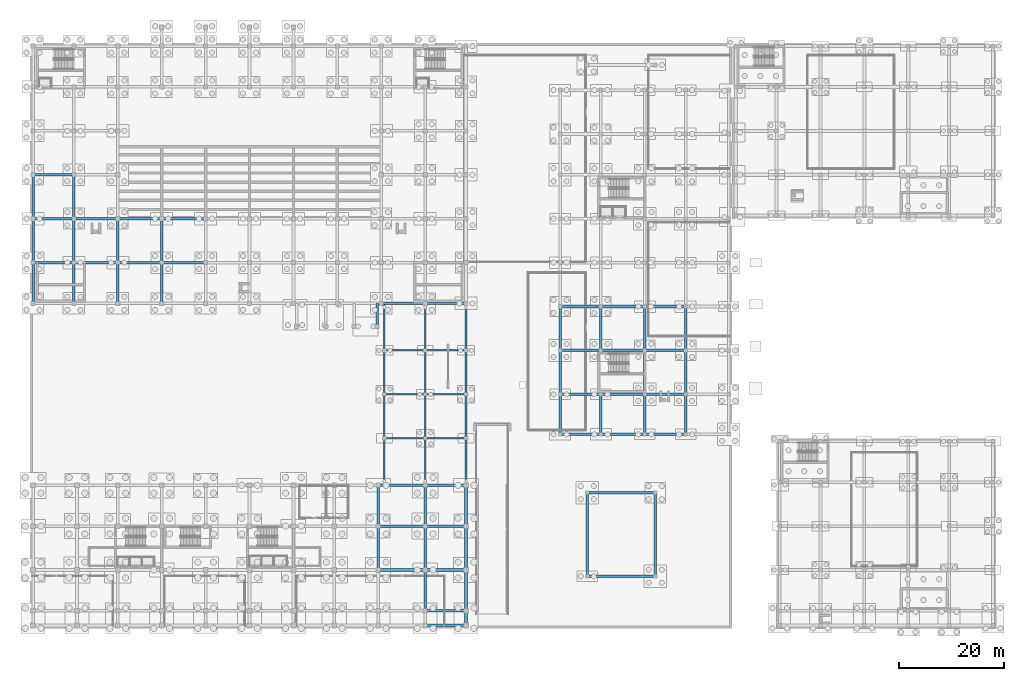
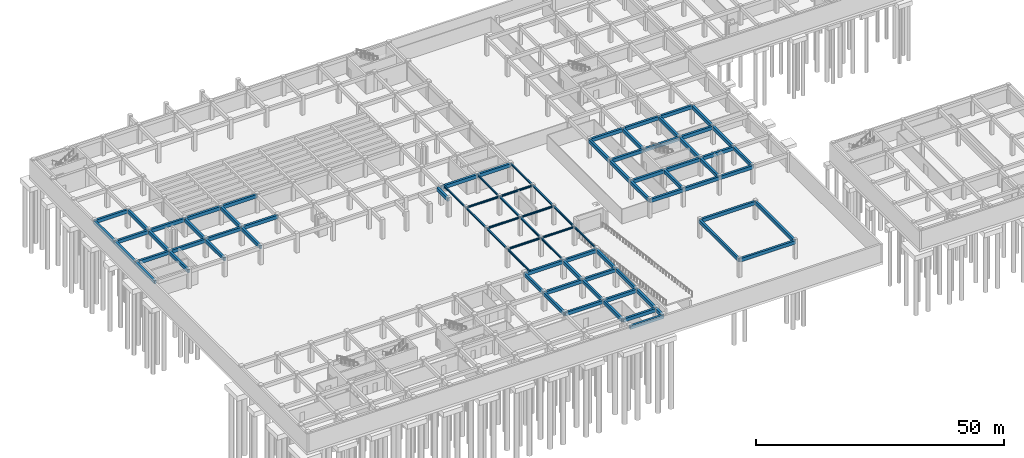
# One storey, part 11 of 35: 84 beams.
"""IFC4 building model written with IfcOpenShell, lengths in metres."""

from ifc_helpers import new_model, si_unit, direction, frame, origin, origin_2d, place, context, subcontext, project, spatial, rectangle, i_section, extrude, material, material_profile, profile_set, type_object, element, save


model = new_model("IFC4")

# Units and contexts
model_context = context("Model", 3, precision=1e-05, world=origin(), true_north=direction((0.0, 1.0)))
body_context = subcontext(model_context, "Body", "Model", "MODEL_VIEW")
ifc_project = project(units=[si_unit("LENGTHUNIT", "METRE"), si_unit("AREAUNIT", "SQUARE_METRE"), si_unit("VOLUMEUNIT", "CUBIC_METRE"), si_unit("PLANEANGLEUNIT", "RADIAN"), si_unit("MASSUNIT", "GRAM", prefix="KILO")], contexts=[model_context])

# Site, building, storey
site_placement = place(None, origin())
site = spatial("IfcSite", under=ifc_project, at=site_placement, CompositionType="ELEMENT")
building_placement = place(site_placement, origin())
building = spatial("IfcBuilding", under=site, at=building_placement, Name="Zayran Congress Hotel", CompositionType="ELEMENT")
storey_placement = place(building_placement, frame((0.0, 0.0, -4.800048828125)))
storey = spatial("IfcBuildingStorey", under=building, at=storey_placement, Name="B1", CompositionType="ELEMENT", Elevation=-4.800048828125)

# Beams
ifc_material_1 = material(Name="Concrete C40/50", Category="concrete")
ifc_material_profile_1 = material_profile(ifc_material_1, rectangle(XDim=0.5, YDim=0.85009765625, at=origin_2d()), Name="RC 500x850")
ifc_profile_set_1 = profile_set([ifc_material_profile_1], Name="Concrete C40/50")
beam_type_1 = type_object("IfcBeamType", Name="TP-BM-01", PredefinedType="BEAM", material=ifc_profile_set_1)
beam_1_placement = place(storey_placement, frame((75.60009765625, 68.199951171875, 4.054931640625), z_axis=(1.0, 0.0, 0.0), x_axis=(0.0, 1.0, 0.0)))
element("IfcBeam", 1, at=beam_1_placement, inside=storey, type_object=beam_type_1, Name="BM-B1-0009", PredefinedType="BEAM", context=body_context, shape_type="SweptSolid", body=[
    extrude(rectangle(XDim=0.5, YDim=0.85009765625, at=origin_2d()), origin(), (0.0, 0.0, 1.0), 8.39990234375),
])
for number, where, z_axis, x_axis, name in (
    (2, (84.0, 68.199951171875, 4.054931640625), (1.0, 0.0, 0.0), (0.0, 1.0, 0.0), "BM-B1-0010"),
    (3, (9.0, 76.0, 4.054931640625), (1.0, 0.0, 0.0), (0.0, 1.0, 0.0), "BM-B1-0011"),
):
    element("IfcBeam", number, at=place(storey_placement, frame(where, z_axis=z_axis, x_axis=x_axis)), inside=storey, type_object=beam_type_1, Name=name, PredefinedType="BEAM", context=body_context, shape_type="SweptSolid", body=[
        extrude(rectangle(XDim=0.5, YDim=0.85009765625, at=origin_2d()), origin(), (0.0, 0.0, 1.0), 7.800048828125),
    ])
beam_2_placement = place(storey_placement, frame((16.800048828125, 76.0, 4.054931640625), z_axis=(1.0, 0.0, 0.0), x_axis=(0.0, 1.0, 0.0)))
element("IfcBeam", 4, at=beam_2_placement, inside=storey, type_object=beam_type_1, Name="BM-B1-0012", PredefinedType="BEAM", context=body_context, shape_type="SweptSolid", body=[
    extrude(rectangle(XDim=0.5, YDim=0.85009765625, at=origin_2d()), origin(), (0.0, 0.0, 1.0), 8.39990234375),
])
beam_3_placement = place(storey_placement, frame((25.199951171875, 76.0, 4.054931640625), z_axis=(1.0, 0.0, 0.0), x_axis=(0.0, 1.0, 0.0)))
element("IfcBeam", 5, at=beam_3_placement, inside=storey, type_object=beam_type_1, Name="BM-B1-0013", PredefinedType="BEAM", context=body_context, shape_type="SweptSolid", body=[
    extrude(rectangle(XDim=0.5, YDim=0.85009765625, at=origin_2d()), origin(), (0.0, 0.0, 1.0), 8.400146484375),
])
beam_4_placement = place(storey_placement, frame((33.60009765625, 76.0, 4.054931640625), z_axis=(1.0, 0.0, 0.0), x_axis=(0.0, 1.0, 0.0)))
element("IfcBeam", 6, at=beam_4_placement, inside=storey, type_object=beam_type_1, Name="BM-B1-0014", PredefinedType="BEAM", context=body_context, shape_type="SweptSolid", body=[
    extrude(rectangle(XDim=0.5, YDim=0.85009765625, at=origin_2d()), origin(), (0.0, 0.0, 1.0), 8.39990234375),
])
beam_5_placement = place(storey_placement, frame((9.0, 84.39990234375, 4.054931640625), z_axis=(1.0, 0.0, 0.0), x_axis=(0.0, 1.0, 0.0)))
element("IfcBeam", 7, at=beam_5_placement, inside=storey, type_object=beam_type_1, Name="BM-B1-0021", PredefinedType="BEAM", context=body_context, shape_type="SweptSolid", body=[
    extrude(rectangle(XDim=0.5, YDim=0.85009765625, at=origin_2d()), origin(), (0.0, 0.0, 1.0), 7.800048828125),
])
beam_6_placement = place(storey_placement, frame((16.800048828125, 84.39990234375, 4.054931640625), z_axis=(1.0, 0.0, 0.0), x_axis=(0.0, 1.0, 0.0)))
element("IfcBeam", 8, at=beam_6_placement, inside=storey, type_object=beam_type_1, Name="BM-B1-0022", PredefinedType="BEAM", context=body_context, shape_type="SweptSolid", body=[
    extrude(rectangle(XDim=0.5, YDim=0.85009765625, at=origin_2d()), origin(), (0.0, 0.0, 1.0), 8.39990234375),
])
beam_7_placement = place(storey_placement, frame((25.199951171875, 84.39990234375, 4.054931640625), z_axis=(1.0, 0.0, 0.0), x_axis=(0.0, 1.0, 0.0)))
element("IfcBeam", 9, at=beam_7_placement, inside=storey, type_object=beam_type_1, Name="BM-B1-0023", PredefinedType="BEAM", context=body_context, shape_type="SweptSolid", body=[
    extrude(rectangle(XDim=0.5, YDim=0.85009765625, at=origin_2d()), origin(), (0.0, 0.0, 1.0), 8.400146484375),
])
beam_8_placement = place(storey_placement, frame((33.60009765625, 84.39990234375, 4.054931640625), z_axis=(1.0, 0.0, 0.0), x_axis=(0.0, 1.0, 0.0)))
element("IfcBeam", 10, at=beam_8_placement, inside=storey, type_object=beam_type_1, Name="BM-B1-0024", PredefinedType="BEAM", context=body_context, shape_type="SweptSolid", body=[
    extrude(rectangle(XDim=0.5, YDim=0.85009765625, at=origin_2d()), origin(), (0.0, 0.0, 1.0), 8.39990234375),
])
for number, where, z_axis, x_axis, name in (
    (11, (9.0, 92.800048828125, 4.054931640625), (1.0, 0.0, 0.0), (0.0, 1.0, 0.0), "BM-B1-0031"),
    (12, (9.0, 68.199951171875, 4.054931640625), (0.0, 1.0, 0.0), (-1.0, 0.0, 0.0), "BM-B1-0059"),
):
    element("IfcBeam", number, at=place(storey_placement, frame(where, z_axis=z_axis, x_axis=x_axis)), inside=storey, type_object=beam_type_1, Name=name, PredefinedType="BEAM", context=body_context, shape_type="SweptSolid", body=[
        extrude(rectangle(XDim=0.5, YDim=0.85009765625, at=origin_2d()), origin(), (0.0, 0.0, 1.0), 7.800048828125),
    ])
beam_9_placement = place(storey_placement, frame((9.0, 76.0, 4.054931640625), z_axis=(0.0, 1.0, 0.0), x_axis=(-1.0, 0.0, 0.0)))
element("IfcBeam", 13, at=beam_9_placement, inside=storey, type_object=beam_type_1, Name="BM-B1-0060", PredefinedType="BEAM", context=body_context, shape_type="SweptSolid", body=[
    extrude(rectangle(XDim=0.5, YDim=0.85009765625, at=origin_2d()), origin(), (0.0, 0.0, 1.0), 8.39990234375),
])
beam_10_placement = place(storey_placement, frame((9.0, 84.39990234375, 4.054931640625), z_axis=(0.0, 1.0, 0.0), x_axis=(-1.0, 0.0, 0.0)))
element("IfcBeam", 14, at=beam_10_placement, inside=storey, type_object=beam_type_1, Name="BM-B1-0061", PredefinedType="BEAM", context=body_context, shape_type="SweptSolid", body=[
    extrude(rectangle(XDim=0.5, YDim=0.85009765625, at=origin_2d()), origin(), (0.0, 0.0, 1.0), 8.400146484375),
])
beam_11_placement = place(storey_placement, frame((16.800048828125, 68.199951171875, 4.054931640625), z_axis=(0.0, 1.0, 0.0), x_axis=(-1.0, 0.0, 0.0)))
element("IfcBeam", 15, at=beam_11_placement, inside=storey, type_object=beam_type_1, Name="BM-B1-0065", PredefinedType="BEAM", context=body_context, shape_type="SweptSolid", body=[
    extrude(rectangle(XDim=0.5, YDim=0.85009765625, at=origin_2d()), origin(), (0.0, 0.0, 1.0), 7.800048828125),
])
beam_12_placement = place(storey_placement, frame((16.800048828125, 76.0, 4.054931640625), z_axis=(0.0, 1.0, 0.0), x_axis=(-1.0, 0.0, 0.0)))
element("IfcBeam", 16, at=beam_12_placement, inside=storey, type_object=beam_type_1, Name="BM-B1-0066", PredefinedType="BEAM", context=body_context, shape_type="SweptSolid", body=[
    extrude(rectangle(XDim=0.5, YDim=0.85009765625, at=origin_2d()), origin(), (0.0, 0.0, 1.0), 8.39990234375),
])
beam_13_placement = place(storey_placement, frame((16.800048828125, 84.39990234375, 4.054931640625), z_axis=(0.0, 1.0, 0.0), x_axis=(-1.0, 0.0, 0.0)))
element("IfcBeam", 17, at=beam_13_placement, inside=storey, type_object=beam_type_1, Name="BM-B1-0067", PredefinedType="BEAM", context=body_context, shape_type="SweptSolid", body=[
    extrude(rectangle(XDim=0.5, YDim=0.85009765625, at=origin_2d()), origin(), (0.0, 0.0, 1.0), 8.400146484375),
])
beam_14_placement = place(storey_placement, frame((25.199951171875, 68.199951171875, 4.054931640625), z_axis=(0.0, 1.0, 0.0), x_axis=(-1.0, 0.0, 0.0)))
element("IfcBeam", 18, at=beam_14_placement, inside=storey, type_object=beam_type_1, Name="BM-B1-0070", PredefinedType="BEAM", context=body_context, shape_type="SweptSolid", body=[
    extrude(rectangle(XDim=0.5, YDim=0.85009765625, at=origin_2d()), origin(), (0.0, 0.0, 1.0), 7.800048828125),
])
beam_15_placement = place(storey_placement, frame((25.199951171875, 76.0, 4.054931640625), z_axis=(0.0, 1.0, 0.0), x_axis=(-1.0, 0.0, 0.0)))
element("IfcBeam", 19, at=beam_15_placement, inside=storey, type_object=beam_type_1, Name="BM-B1-0071", PredefinedType="BEAM", context=body_context, shape_type="SweptSolid", body=[
    extrude(rectangle(XDim=0.5, YDim=0.85009765625, at=origin_2d()), origin(), (0.0, 0.0, 1.0), 8.39990234375),
])
beam_16_placement = place(storey_placement, frame((33.60009765625, 68.199951171875, 4.054931640625), z_axis=(0.0, 1.0, 0.0), x_axis=(-1.0, 0.0, 0.0)))
element("IfcBeam", 20, at=beam_16_placement, inside=storey, type_object=beam_type_1, Name="BM-B1-0076", PredefinedType="BEAM", context=body_context, shape_type="SweptSolid", body=[
    extrude(rectangle(XDim=0.5, YDim=0.85009765625, at=origin_2d()), origin(), (0.0, 0.0, 1.0), 7.800048828125),
])
beam_17_placement = place(storey_placement, frame((33.60009765625, 76.0, 4.054931640625), z_axis=(0.0, 1.0, 0.0), x_axis=(-1.0, 0.0, 0.0)))
element("IfcBeam", 21, at=beam_17_placement, inside=storey, type_object=beam_type_1, Name="BM-B1-0077", PredefinedType="BEAM", context=body_context, shape_type="SweptSolid", body=[
    extrude(rectangle(XDim=0.5, YDim=0.85009765625, at=origin_2d()), origin(), (0.0, 0.0, 1.0), 8.39990234375),
])
beam_18_placement = place(storey_placement, frame((109.800048828125, 43.14990234375, 4.054931640625), z_axis=(1.0, 0.0, 0.0), x_axis=(0.0, 1.0, 0.0)))
element("IfcBeam", 22, at=beam_18_placement, inside=storey, type_object=beam_type_1, Name="BM-B1-0214", PredefinedType="BEAM", context=body_context, shape_type="SweptSolid", body=[
    extrude(rectangle(XDim=0.5, YDim=0.85009765625, at=origin_2d()), origin(), (0.0, 0.0, 1.0), 7.800048828125),
])
beam_19_placement = place(storey_placement, frame((117.60009765625, 43.14990234375, 4.054931640625), z_axis=(1.0, 0.0, 0.0), x_axis=(0.0, 1.0, 0.0)))
element("IfcBeam", 23, at=beam_19_placement, inside=storey, type_object=beam_type_1, Name="BM-B1-0215", PredefinedType="BEAM", context=body_context, shape_type="SweptSolid", body=[
    extrude(rectangle(XDim=0.5, YDim=0.85009765625, at=origin_2d()), origin(), (0.0, 0.0, 1.0), 8.39990234375),
])
for number, where, z_axis, x_axis, name in (
    (24, (126.0, 43.14990234375, 4.054931640625), (1.0, 0.0, 0.0), (0.0, 1.0, 0.0), "BM-B1-0216"),
    (25, (109.800048828125, 50.800048828125, 4.054931640625), (1.0, 0.0, 0.0), (0.0, 1.0, 0.0), "BM-B1-0218"),
):
    element("IfcBeam", number, at=place(storey_placement, frame(where, z_axis=z_axis, x_axis=x_axis)), inside=storey, type_object=beam_type_1, Name=name, PredefinedType="BEAM", context=body_context, shape_type="SweptSolid", body=[
        extrude(rectangle(XDim=0.5, YDim=0.85009765625, at=origin_2d()), origin(), (0.0, 0.0, 1.0), 7.800048828125),
    ])
beam_20_placement = place(storey_placement, frame((117.60009765625, 50.800048828125, 4.054931640625), z_axis=(1.0, 0.0, 0.0), x_axis=(0.0, 1.0, 0.0)))
element("IfcBeam", 26, at=beam_20_placement, inside=storey, type_object=beam_type_1, Name="BM-B1-0219", PredefinedType="BEAM", context=body_context, shape_type="SweptSolid", body=[
    extrude(rectangle(XDim=0.5, YDim=0.85009765625, at=origin_2d()), origin(), (0.0, 0.0, 1.0), 8.39990234375),
])
for number, where, z_axis, x_axis, name in (
    (27, (126.0, 50.800048828125, 4.054931640625), (1.0, 0.0, 0.0), (0.0, 1.0, 0.0), "BM-B1-0220"),
    (28, (109.800048828125, 59.199951171875, 4.054931640625), (1.0, 0.0, 0.0), (0.0, 1.0, 0.0), "BM-B1-0222"),
):
    element("IfcBeam", number, at=place(storey_placement, frame(where, z_axis=z_axis, x_axis=x_axis)), inside=storey, type_object=beam_type_1, Name=name, PredefinedType="BEAM", context=body_context, shape_type="SweptSolid", body=[
        extrude(rectangle(XDim=0.5, YDim=0.85009765625, at=origin_2d()), origin(), (0.0, 0.0, 1.0), 7.800048828125),
    ])
beam_21_placement = place(storey_placement, frame((117.60009765625, 59.199951171875, 4.054931640625), z_axis=(1.0, 0.0, 0.0), x_axis=(0.0, 1.0, 0.0)))
element("IfcBeam", 29, at=beam_21_placement, inside=storey, type_object=beam_type_1, Name="BM-B1-0223", PredefinedType="BEAM", context=body_context, shape_type="SweptSolid", body=[
    extrude(rectangle(XDim=0.5, YDim=0.85009765625, at=origin_2d()), origin(), (0.0, 0.0, 1.0), 8.39990234375),
])
for number, where, z_axis, x_axis, name in (
    (30, (126.0, 59.199951171875, 4.054931640625), (1.0, 0.0, 0.0), (0.0, 1.0, 0.0), "BM-B1-0224"),
    (31, (109.800048828125, 67.60009765625, 4.054931640625), (1.0, 0.0, 0.0), (0.0, 1.0, 0.0), "BM-B1-0226"),
):
    element("IfcBeam", number, at=place(storey_placement, frame(where, z_axis=z_axis, x_axis=x_axis)), inside=storey, type_object=beam_type_1, Name=name, PredefinedType="BEAM", context=body_context, shape_type="SweptSolid", body=[
        extrude(rectangle(XDim=0.5, YDim=0.85009765625, at=origin_2d()), origin(), (0.0, 0.0, 1.0), 7.800048828125),
    ])
beam_22_placement = place(storey_placement, frame((117.60009765625, 67.60009765625, 4.054931640625), z_axis=(1.0, 0.0, 0.0), x_axis=(0.0, 1.0, 0.0)))
element("IfcBeam", 32, at=beam_22_placement, inside=storey, type_object=beam_type_1, Name="BM-B1-0227", PredefinedType="BEAM", context=body_context, shape_type="SweptSolid", body=[
    extrude(rectangle(XDim=0.5, YDim=0.85009765625, at=origin_2d()), origin(), (0.0, 0.0, 1.0), 8.39990234375),
])
beam_23_placement = place(storey_placement, frame((126.0, 67.60009765625, 4.054931640625), z_axis=(1.0, 0.0, 0.0), x_axis=(0.0, 1.0, 0.0)))
element("IfcBeam", 33, at=beam_23_placement, inside=storey, type_object=beam_type_1, Name="BM-B1-0228", PredefinedType="BEAM", context=body_context, shape_type="SweptSolid", body=[
    extrude(rectangle(XDim=0.5, YDim=0.85009765625, at=origin_2d()), origin(), (0.0, 0.0, 1.0), 7.800048828125),
])
beam_24_placement = place(storey_placement, frame((109.800048828125, 43.14990234375, 4.054931640625), z_axis=(0.0, 1.0, 0.0), x_axis=(-1.0, 0.0, 0.0)))
element("IfcBeam", 34, at=beam_24_placement, inside=storey, type_object=beam_type_1, Name="BM-B1-0250", PredefinedType="BEAM", context=body_context, shape_type="SweptSolid", body=[
    extrude(rectangle(XDim=0.5, YDim=0.85009765625, at=origin_2d()), origin(), (0.0, 0.0, 1.0), 7.650146484375),
])
beam_25_placement = place(storey_placement, frame((109.800048828125, 50.800048828125, 4.054931640625), z_axis=(0.0, 1.0, 0.0), x_axis=(-1.0, 0.0, 0.0)))
element("IfcBeam", 35, at=beam_25_placement, inside=storey, type_object=beam_type_1, Name="BM-B1-0251", PredefinedType="BEAM", context=body_context, shape_type="SweptSolid", body=[
    extrude(rectangle(XDim=0.5, YDim=0.85009765625, at=origin_2d()), origin(), (0.0, 0.0, 1.0), 8.39990234375),
])
beam_26_placement = place(storey_placement, frame((109.800048828125, 59.199951171875, 4.054931640625), z_axis=(0.0, 1.0, 0.0), x_axis=(-1.0, 0.0, 0.0)))
element("IfcBeam", 36, at=beam_26_placement, inside=storey, type_object=beam_type_1, Name="BM-B1-0252", PredefinedType="BEAM", context=body_context, shape_type="SweptSolid", body=[
    extrude(rectangle(XDim=0.5, YDim=0.85009765625, at=origin_2d()), origin(), (0.0, 0.0, 1.0), 8.400146484375),
])
beam_27_placement = place(storey_placement, frame((117.60009765625, 43.14990234375, 4.054931640625), z_axis=(0.0, 1.0, 0.0), x_axis=(-1.0, 0.0, 0.0)))
element("IfcBeam", 37, at=beam_27_placement, inside=storey, type_object=beam_type_1, Name="BM-B1-0258", PredefinedType="BEAM", context=body_context, shape_type="SweptSolid", body=[
    extrude(rectangle(XDim=0.5, YDim=0.85009765625, at=origin_2d()), origin(), (0.0, 0.0, 1.0), 7.650146484375),
])
beam_28_placement = place(storey_placement, frame((117.60009765625, 59.199951171875, 4.054931640625), z_axis=(0.0, 1.0, 0.0), x_axis=(-1.0, 0.0, 0.0)))
element("IfcBeam", 38, at=beam_28_placement, inside=storey, type_object=beam_type_1, Name="BM-B1-0259", PredefinedType="BEAM", context=body_context, shape_type="SweptSolid", body=[
    extrude(rectangle(XDim=0.5, YDim=0.85009765625, at=origin_2d()), origin(), (0.0, 0.0, 1.0), 8.400146484375),
])
beam_29_placement = place(storey_placement, frame((126.0, 43.14990234375, 4.054931640625), z_axis=(0.0, 1.0, 0.0), x_axis=(-1.0, 0.0, 0.0)))
element("IfcBeam", 39, at=beam_29_placement, inside=storey, type_object=beam_type_1, Name="BM-B1-0264", PredefinedType="BEAM", context=body_context, shape_type="SweptSolid", body=[
    extrude(rectangle(XDim=0.5, YDim=0.85009765625, at=origin_2d()), origin(), (0.0, 0.0, 1.0), 7.650146484375),
])
beam_30_placement = place(storey_placement, frame((126.0, 50.800048828125, 4.054931640625), z_axis=(0.0, 1.0, 0.0), x_axis=(-1.0, 0.0, 0.0)))
element("IfcBeam", 40, at=beam_30_placement, inside=storey, type_object=beam_type_1, Name="BM-B1-0265", PredefinedType="BEAM", context=body_context, shape_type="SweptSolid", body=[
    extrude(rectangle(XDim=0.5, YDim=0.85009765625, at=origin_2d()), origin(), (0.0, 0.0, 1.0), 8.39990234375),
])
beam_31_placement = place(storey_placement, frame((126.0, 59.199951171875, 4.054931640625), z_axis=(0.0, 1.0, 0.0), x_axis=(-1.0, 0.0, 0.0)))
element("IfcBeam", 41, at=beam_31_placement, inside=storey, type_object=beam_type_1, Name="BM-B1-0266", PredefinedType="BEAM", context=body_context, shape_type="SweptSolid", body=[
    extrude(rectangle(XDim=0.5, YDim=0.85009765625, at=origin_2d()), origin(), (0.0, 0.0, 1.0), 8.400146484375),
])
beam_32_placement = place(storey_placement, frame((133.800048828125, 43.14990234375, 4.054931640625), z_axis=(0.0, 1.0, 0.0), x_axis=(-1.0, 0.0, 0.0)))
element("IfcBeam", 42, at=beam_32_placement, inside=storey, type_object=beam_type_1, Name="BM-B1-0272", PredefinedType="BEAM", context=body_context, shape_type="SweptSolid", body=[
    extrude(rectangle(XDim=0.5, YDim=0.85009765625, at=origin_2d()), origin(), (0.0, 0.0, 1.0), 7.650146484375),
])
beam_33_placement = place(storey_placement, frame((133.800048828125, 50.800048828125, 4.054931640625), z_axis=(0.0, 1.0, 0.0), x_axis=(-1.0, 0.0, 0.0)))
element("IfcBeam", 43, at=beam_33_placement, inside=storey, type_object=beam_type_1, Name="BM-B1-0273", PredefinedType="BEAM", context=body_context, shape_type="SweptSolid", body=[
    extrude(rectangle(XDim=0.5, YDim=0.85009765625, at=origin_2d()), origin(), (0.0, 0.0, 1.0), 8.39990234375),
])
beam_34_placement = place(storey_placement, frame((133.800048828125, 59.199951171875, 4.054931640625), z_axis=(0.0, 1.0, 0.0), x_axis=(-1.0, 0.0, 0.0)))
element("IfcBeam", 44, at=beam_34_placement, inside=storey, type_object=beam_type_1, Name="BM-B1-0274", PredefinedType="BEAM", context=body_context, shape_type="SweptSolid", body=[
    extrude(rectangle(XDim=0.5, YDim=0.85009765625, at=origin_2d()), origin(), (0.0, 0.0, 1.0), 8.400146484375),
])
for number, where, z_axis, x_axis, name in (
    (45, (84.0, 6.60009765625, 4.054931640625), (1.0, 0.0, 0.0), (0.0, 1.0, 0.0), "BM-B1-0297"),
    (46, (84.0, 9.39990234375, 4.054931640625), (1.0, 0.0, 0.0), (0.0, 1.0, 0.0), "BM-B1-0307"),
):
    element("IfcBeam", number, at=place(storey_placement, frame(where, z_axis=z_axis, x_axis=x_axis)), inside=storey, type_object=beam_type_1, Name=name, PredefinedType="BEAM", context=body_context, shape_type="SweptSolid", body=[
        extrude(rectangle(XDim=0.5, YDim=0.85009765625, at=origin_2d()), origin(), (0.0, 0.0, 1.0), 7.800048828125),
    ])
beam_35_placement = place(storey_placement, frame((75.0, 17.199951171875, 4.054931640625), z_axis=(1.0, 0.0, 0.0), x_axis=(0.0, 1.0, 0.0)))
element("IfcBeam", 47, at=beam_35_placement, inside=storey, type_object=beam_type_1, Name="BM-B1-0316", PredefinedType="BEAM", context=body_context, shape_type="SweptSolid", body=[
    extrude(rectangle(XDim=0.5, YDim=0.85009765625, at=origin_2d()), origin(), (0.0, 0.0, 1.0), 9.0),
])
beam_36_placement = place(storey_placement, frame((84.0, 17.199951171875, 4.054931640625), z_axis=(1.0, 0.0, 0.0), x_axis=(0.0, 1.0, 0.0)))
element("IfcBeam", 48, at=beam_36_placement, inside=storey, type_object=beam_type_1, Name="BM-B1-0317", PredefinedType="BEAM", context=body_context, shape_type="SweptSolid", body=[
    extrude(rectangle(XDim=0.5, YDim=0.85009765625, at=origin_2d()), origin(), (0.0, 0.0, 1.0), 7.800048828125),
])
beam_37_placement = place(storey_placement, frame((75.0, 25.60009765625, 4.054931640625), z_axis=(1.0, 0.0, 0.0), x_axis=(0.0, 1.0, 0.0)))
element("IfcBeam", 49, at=beam_37_placement, inside=storey, type_object=beam_type_1, Name="BM-B1-0326", PredefinedType="BEAM", context=body_context, shape_type="SweptSolid", body=[
    extrude(rectangle(XDim=0.5, YDim=0.85009765625, at=origin_2d()), origin(), (0.0, 0.0, 1.0), 9.0),
])
beam_38_placement = place(storey_placement, frame((84.0, 25.60009765625, 4.054931640625), z_axis=(1.0, 0.0, 0.0), x_axis=(0.0, 1.0, 0.0)))
element("IfcBeam", 50, at=beam_38_placement, inside=storey, type_object=beam_type_1, Name="BM-B1-0327", PredefinedType="BEAM", context=body_context, shape_type="SweptSolid", body=[
    extrude(rectangle(XDim=0.5, YDim=0.85009765625, at=origin_2d()), origin(), (0.0, 0.0, 1.0), 7.800048828125),
])
beam_39_placement = place(storey_placement, frame((75.0, 33.39990234375, 4.054931640625), z_axis=(1.0, 0.0, 0.0), x_axis=(0.0, 1.0, 0.0)))
element("IfcBeam", 51, at=beam_39_placement, inside=storey, type_object=beam_type_1, Name="BM-B1-0336", PredefinedType="BEAM", context=body_context, shape_type="SweptSolid", body=[
    extrude(rectangle(XDim=0.5, YDim=0.85009765625, at=origin_2d()), origin(), (0.0, 0.0, 1.0), 9.0),
])
beam_40_placement = place(storey_placement, frame((84.0, 33.39990234375, 4.054931640625), z_axis=(1.0, 0.0, 0.0), x_axis=(0.0, 1.0, 0.0)))
element("IfcBeam", 52, at=beam_40_placement, inside=storey, type_object=beam_type_1, Name="BM-B1-0337", PredefinedType="BEAM", context=body_context, shape_type="SweptSolid", body=[
    extrude(rectangle(XDim=0.5, YDim=0.85009765625, at=origin_2d()), origin(), (0.0, 0.0, 1.0), 7.800048828125),
])
beam_41_placement = place(storey_placement, frame((75.0, 17.199951171875, 4.054931640625), z_axis=(0.0, 1.0, 0.0), x_axis=(-1.0, 0.0, 0.0)))
element("IfcBeam", 53, at=beam_41_placement, inside=storey, type_object=beam_type_1, Name="BM-B1-0370", PredefinedType="BEAM", context=body_context, shape_type="SweptSolid", body=[
    extrude(rectangle(XDim=0.5, YDim=0.85009765625, at=origin_2d()), origin(), (0.0, 0.0, 1.0), 8.400146484375),
])
beam_42_placement = place(storey_placement, frame((75.0, 25.60009765625, 4.054931640625), z_axis=(0.0, 1.0, 0.0), x_axis=(-1.0, 0.0, 0.0)))
element("IfcBeam", 54, at=beam_42_placement, inside=storey, type_object=beam_type_1, Name="BM-B1-0371", PredefinedType="BEAM", context=body_context, shape_type="SweptSolid", body=[
    extrude(rectangle(XDim=0.5, YDim=0.85009765625, at=origin_2d()), origin(), (0.0, 0.0, 1.0), 7.7998046875),
])
beam_43_placement = place(storey_placement, frame((84.0, 9.39990234375, 4.054931640625), z_axis=(0.0, 1.0, 0.0), x_axis=(-1.0, 0.0, 0.0)))
element("IfcBeam", 55, at=beam_43_placement, inside=storey, type_object=beam_type_1, Name="BM-B1-0373", PredefinedType="BEAM", context=body_context, shape_type="SweptSolid", body=[
    extrude(rectangle(XDim=0.5, YDim=0.85009765625, at=origin_2d()), origin(), (0.0, 0.0, 1.0), 7.800048828125),
])
beam_44_placement = place(storey_placement, frame((84.0, 17.199951171875, 4.054931640625), z_axis=(0.0, 1.0, 0.0), x_axis=(-1.0, 0.0, 0.0)))
element("IfcBeam", 56, at=beam_44_placement, inside=storey, type_object=beam_type_1, Name="BM-B1-0374", PredefinedType="BEAM", context=body_context, shape_type="SweptSolid", body=[
    extrude(rectangle(XDim=0.5, YDim=0.85009765625, at=origin_2d()), origin(), (0.0, 0.0, 1.0), 8.400146484375),
])
beam_45_placement = place(storey_placement, frame((84.0, 25.60009765625, 4.054931640625), z_axis=(0.0, 1.0, 0.0), x_axis=(-1.0, 0.0, 0.0)))
element("IfcBeam", 57, at=beam_45_placement, inside=storey, type_object=beam_type_1, Name="BM-B1-0375", PredefinedType="BEAM", context=body_context, shape_type="SweptSolid", body=[
    extrude(rectangle(XDim=0.5, YDim=0.85009765625, at=origin_2d()), origin(), (0.0, 0.0, 1.0), 7.7998046875),
])
beam_46_placement = place(storey_placement, frame((91.800048828125, 6.60009765625, 4.054931640625), z_axis=(0.0, 1.0, 0.0), x_axis=(-1.0, 0.0, 0.0)))
element("IfcBeam", 58, at=beam_46_placement, inside=storey, type_object=beam_type_1, Name="BM-B1-0376", PredefinedType="BEAM", context=body_context, shape_type="SweptSolid", body=[
    extrude(rectangle(XDim=0.5, YDim=0.85009765625, at=origin_2d()), origin(), (0.0, 0.0, 1.0), 2.7998046875),
])
beam_47_placement = place(storey_placement, frame((91.800048828125, 9.39990234375, 4.054931640625), z_axis=(0.0, 1.0, 0.0), x_axis=(-1.0, 0.0, 0.0)))
element("IfcBeam", 59, at=beam_47_placement, inside=storey, type_object=beam_type_1, Name="BM-B1-0377", PredefinedType="BEAM", context=body_context, shape_type="SweptSolid", body=[
    extrude(rectangle(XDim=0.5, YDim=0.85009765625, at=origin_2d()), origin(), (0.0, 0.0, 1.0), 7.800048828125),
])
beam_48_placement = place(storey_placement, frame((91.800048828125, 17.199951171875, 4.054931640625), z_axis=(0.0, 1.0, 0.0), x_axis=(-1.0, 0.0, 0.0)))
element("IfcBeam", 60, at=beam_48_placement, inside=storey, type_object=beam_type_1, Name="BM-B1-0378", PredefinedType="BEAM", context=body_context, shape_type="SweptSolid", body=[
    extrude(rectangle(XDim=0.5, YDim=0.85009765625, at=origin_2d()), origin(), (0.0, 0.0, 1.0), 8.400146484375),
])
beam_49_placement = place(storey_placement, frame((91.800048828125, 25.60009765625, 4.054931640625), z_axis=(0.0, 1.0, 0.0), x_axis=(-1.0, 0.0, 0.0)))
element("IfcBeam", 61, at=beam_49_placement, inside=storey, type_object=beam_type_1, Name="BM-B1-0379", PredefinedType="BEAM", context=body_context, shape_type="SweptSolid", body=[
    extrude(rectangle(XDim=0.5, YDim=0.85009765625, at=origin_2d()), origin(), (0.0, 0.0, 1.0), 7.7998046875),
])
beam_50_placement = place(storey_placement, frame((74.800048828125, 63.800048828125, 4.054931640625), z_axis=(0.0, 1.0, 0.0), x_axis=(-1.0, 0.0, 0.0)))
element("IfcBeam", 62, at=beam_50_placement, inside=storey, type_object=beam_type_1, Name="BM-B1-CAN-0383", PredefinedType="BEAM", context=body_context, shape_type="SweptSolid", body=[
    extrude(rectangle(XDim=0.5, YDim=0.85009765625, at=origin_2d()), origin(), (0.0, 0.0, 1.0), 4.39990234375),
])
for number, where, z_axis, x_axis, name in (
    (63, (115.0, 16.0, 4.054931640625), (1.0, 0.0, 0.0), (0.0, 1.0, 0.0), "BM-B1-PLZ-0385"),
    (64, (115.0, 32.0, 4.054931640625), (1.0, 0.0, 0.0), (0.0, 1.0, 0.0), "BM-B1-PLZ-0386"),
):
    element("IfcBeam", number, at=place(storey_placement, frame(where, z_axis=z_axis, x_axis=x_axis)), inside=storey, type_object=beam_type_1, Name=name, PredefinedType="BEAM", context=body_context, shape_type="SweptSolid", body=[
        extrude(rectangle(XDim=0.5, YDim=0.85009765625, at=origin_2d()), origin(), (0.0, 0.0, 1.0), 13.0),
    ])
for number, where, z_axis, x_axis, name in (
    (65, (115.0, 16.0, 4.054931640625), (0.0, 1.0, 0.0), (-1.0, 0.0, 0.0), "BM-B1-PLZ-0387"),
    (66, (128.0, 16.0, 4.054931640625), (0.0, 1.0, 0.0), (-1.0, 0.0, 0.0), "BM-B1-PLZ-0388"),
):
    element("IfcBeam", number, at=place(storey_placement, frame(where, z_axis=z_axis, x_axis=x_axis)), inside=storey, type_object=beam_type_1, Name=name, PredefinedType="BEAM", context=body_context, shape_type="SweptSolid", body=[
        extrude(rectangle(XDim=0.5, YDim=0.85009765625, at=origin_2d()), origin(), (0.0, 0.0, 1.0), 16.0),
    ])
ifc_material_2 = material(Name="Steel S355", Category="steel")
ifc_material_profile_2 = material_profile(ifc_material_2, i_section(OverallWidth=0.300048828125, OverallDepth=0.39990234375, WebThickness=0.013427734375, FlangeThickness=0.02392578125, at=origin_2d()), Name="HEB 400")
ifc_profile_set_2 = profile_set([ifc_material_profile_2], Name="Steel S355")
beam_type_2 = type_object("IfcBeamType", Name="TP-BM-10", PredefinedType="BEAM", material=ifc_profile_set_2)
for number, where, z_axis, x_axis, name in (
    (67, (76.199951171875, 42.39990234375, 4.35009765625), (1.0, 0.0, 0.0), (0.0, 1.0, 0.0), "BM-BR2-B1-2422"),
    (68, (84.0, 42.39990234375, 4.35009765625), (1.0, 0.0, 0.0), (0.0, 1.0, 0.0), "BM-BR2-B1-2423"),
    (69, (76.199951171875, 50.800048828125, 4.35009765625), (1.0, 0.0, 0.0), (0.0, 1.0, 0.0), "BM-BR2-B1-2424"),
    (70, (84.0, 50.800048828125, 4.35009765625), (1.0, 0.0, 0.0), (0.0, 1.0, 0.0), "BM-BR2-B1-2425"),
    (71, (76.199951171875, 59.199951171875, 4.35009765625), (1.0, 0.0, 0.0), (0.0, 1.0, 0.0), "BM-BR2-B1-2426"),
    (72, (84.0, 59.199951171875, 4.35009765625), (1.0, 0.0, 0.0), (0.0, 1.0, 0.0), "BM-BR2-B1-2427"),
):
    element("IfcBeam", number, at=place(storey_placement, frame(where, z_axis=z_axis, x_axis=x_axis)), inside=storey, type_object=beam_type_2, Name=name, PredefinedType="BEAM", context=body_context, shape_type="SweptSolid", body=[
        extrude(i_section(OverallWidth=0.300048828125, OverallDepth=0.39990234375, WebThickness=0.013427734375, FlangeThickness=0.02392578125, at=origin_2d()), origin(), (0.0, 0.0, 1.0), 7.800048828125),
    ])
beam_51_placement = place(storey_placement, frame((76.199951171875, 33.39990234375, 4.35009765625), z_axis=(0.0, 1.0, 0.0), x_axis=(-1.0, 0.0, 0.0)))
element("IfcBeam", 73, at=beam_51_placement, inside=storey, type_object=beam_type_2, Name="BM-BR2Y-B1-2428", PredefinedType="BEAM", context=body_context, shape_type="SweptSolid", body=[
    extrude(i_section(OverallWidth=0.300048828125, OverallDepth=0.39990234375, WebThickness=0.013427734375, FlangeThickness=0.02392578125, at=origin_2d()), origin(), (0.0, 0.0, 1.0), 9.0),
])
beam_52_placement = place(storey_placement, frame((76.199951171875, 42.39990234375, 4.35009765625), z_axis=(0.0, 1.0, 0.0), x_axis=(-1.0, 0.0, 0.0)))
element("IfcBeam", 74, at=beam_52_placement, inside=storey, type_object=beam_type_2, Name="BM-BR2Y-B1-2429", PredefinedType="BEAM", context=body_context, shape_type="SweptSolid", body=[
    extrude(i_section(OverallWidth=0.300048828125, OverallDepth=0.39990234375, WebThickness=0.013427734375, FlangeThickness=0.02392578125, at=origin_2d()), origin(), (0.0, 0.0, 1.0), 8.400146484375),
])
beam_53_placement = place(storey_placement, frame((76.199951171875, 50.800048828125, 4.35009765625), z_axis=(0.0, 1.0, 0.0), x_axis=(-1.0, 0.0, 0.0)))
element("IfcBeam", 75, at=beam_53_placement, inside=storey, type_object=beam_type_2, Name="BM-BR2Y-B1-2430", PredefinedType="BEAM", context=body_context, shape_type="SweptSolid", body=[
    extrude(i_section(OverallWidth=0.300048828125, OverallDepth=0.39990234375, WebThickness=0.013427734375, FlangeThickness=0.02392578125, at=origin_2d()), origin(), (0.0, 0.0, 1.0), 8.39990234375),
])
for number, where, z_axis, x_axis, name in (
    (76, (76.199951171875, 59.199951171875, 4.35009765625), (0.0, 1.0, 0.0), (-1.0, 0.0, 0.0), "BM-BR2Y-B1-2431"),
    (77, (84.0, 33.39990234375, 4.35009765625), (0.0, 1.0, 0.0), (-1.0, 0.0, 0.0), "BM-BR2Y-B1-2432"),
):
    element("IfcBeam", number, at=place(storey_placement, frame(where, z_axis=z_axis, x_axis=x_axis)), inside=storey, type_object=beam_type_2, Name=name, PredefinedType="BEAM", context=body_context, shape_type="SweptSolid", body=[
        extrude(i_section(OverallWidth=0.300048828125, OverallDepth=0.39990234375, WebThickness=0.013427734375, FlangeThickness=0.02392578125, at=origin_2d()), origin(), (0.0, 0.0, 1.0), 9.0),
    ])
beam_54_placement = place(storey_placement, frame((84.0, 42.39990234375, 4.35009765625), z_axis=(0.0, 1.0, 0.0), x_axis=(-1.0, 0.0, 0.0)))
element("IfcBeam", 78, at=beam_54_placement, inside=storey, type_object=beam_type_2, Name="BM-BR2Y-B1-2433", PredefinedType="BEAM", context=body_context, shape_type="SweptSolid", body=[
    extrude(i_section(OverallWidth=0.300048828125, OverallDepth=0.39990234375, WebThickness=0.013427734375, FlangeThickness=0.02392578125, at=origin_2d()), origin(), (0.0, 0.0, 1.0), 8.400146484375),
])
beam_55_placement = place(storey_placement, frame((84.0, 50.800048828125, 4.35009765625), z_axis=(0.0, 1.0, 0.0), x_axis=(-1.0, 0.0, 0.0)))
element("IfcBeam", 79, at=beam_55_placement, inside=storey, type_object=beam_type_2, Name="BM-BR2Y-B1-2434", PredefinedType="BEAM", context=body_context, shape_type="SweptSolid", body=[
    extrude(i_section(OverallWidth=0.300048828125, OverallDepth=0.39990234375, WebThickness=0.013427734375, FlangeThickness=0.02392578125, at=origin_2d()), origin(), (0.0, 0.0, 1.0), 8.39990234375),
])
for number, where, z_axis, x_axis, name in (
    (80, (84.0, 59.199951171875, 4.35009765625), (0.0, 1.0, 0.0), (-1.0, 0.0, 0.0), "BM-BR2Y-B1-2435"),
    (81, (91.800048828125, 33.39990234375, 4.35009765625), (0.0, 1.0, 0.0), (-1.0, 0.0, 0.0), "BM-BR2Y-B1-2436"),
):
    element("IfcBeam", number, at=place(storey_placement, frame(where, z_axis=z_axis, x_axis=x_axis)), inside=storey, type_object=beam_type_2, Name=name, PredefinedType="BEAM", context=body_context, shape_type="SweptSolid", body=[
        extrude(i_section(OverallWidth=0.300048828125, OverallDepth=0.39990234375, WebThickness=0.013427734375, FlangeThickness=0.02392578125, at=origin_2d()), origin(), (0.0, 0.0, 1.0), 9.0),
    ])
beam_56_placement = place(storey_placement, frame((91.800048828125, 42.39990234375, 4.35009765625), z_axis=(0.0, 1.0, 0.0), x_axis=(-1.0, 0.0, 0.0)))
element("IfcBeam", 82, at=beam_56_placement, inside=storey, type_object=beam_type_2, Name="BM-BR2Y-B1-2437", PredefinedType="BEAM", context=body_context, shape_type="SweptSolid", body=[
    extrude(i_section(OverallWidth=0.300048828125, OverallDepth=0.39990234375, WebThickness=0.013427734375, FlangeThickness=0.02392578125, at=origin_2d()), origin(), (0.0, 0.0, 1.0), 8.400146484375),
])
beam_57_placement = place(storey_placement, frame((91.800048828125, 50.800048828125, 4.35009765625), z_axis=(0.0, 1.0, 0.0), x_axis=(-1.0, 0.0, 0.0)))
element("IfcBeam", 83, at=beam_57_placement, inside=storey, type_object=beam_type_2, Name="BM-BR2Y-B1-2438", PredefinedType="BEAM", context=body_context, shape_type="SweptSolid", body=[
    extrude(i_section(OverallWidth=0.300048828125, OverallDepth=0.39990234375, WebThickness=0.013427734375, FlangeThickness=0.02392578125, at=origin_2d()), origin(), (0.0, 0.0, 1.0), 8.39990234375),
])
beam_58_placement = place(storey_placement, frame((91.800048828125, 59.199951171875, 4.35009765625), z_axis=(0.0, 1.0, 0.0), x_axis=(-1.0, 0.0, 0.0)))
element("IfcBeam", 84, at=beam_58_placement, inside=storey, type_object=beam_type_2, Name="BM-BR2Y-B1-2439", PredefinedType="BEAM", context=body_context, shape_type="SweptSolid", body=[
    extrude(i_section(OverallWidth=0.300048828125, OverallDepth=0.39990234375, WebThickness=0.013427734375, FlangeThickness=0.02392578125, at=origin_2d()), origin(), (0.0, 0.0, 1.0), 9.0),
])

save(model, "model.ifc")
